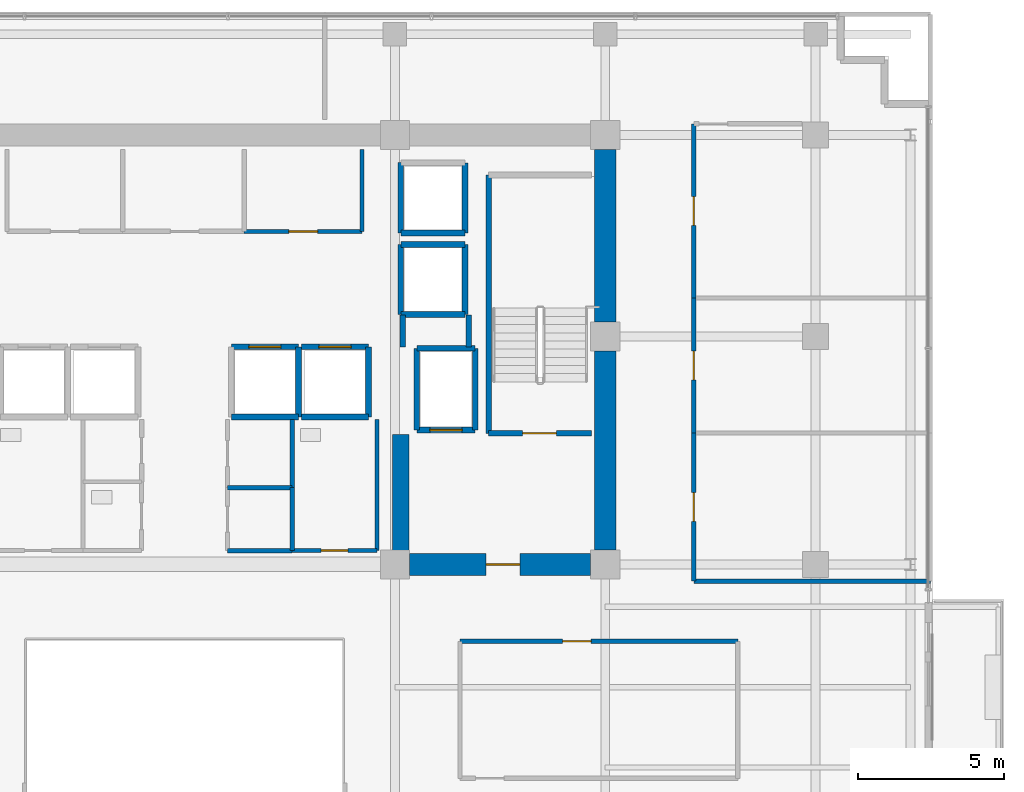
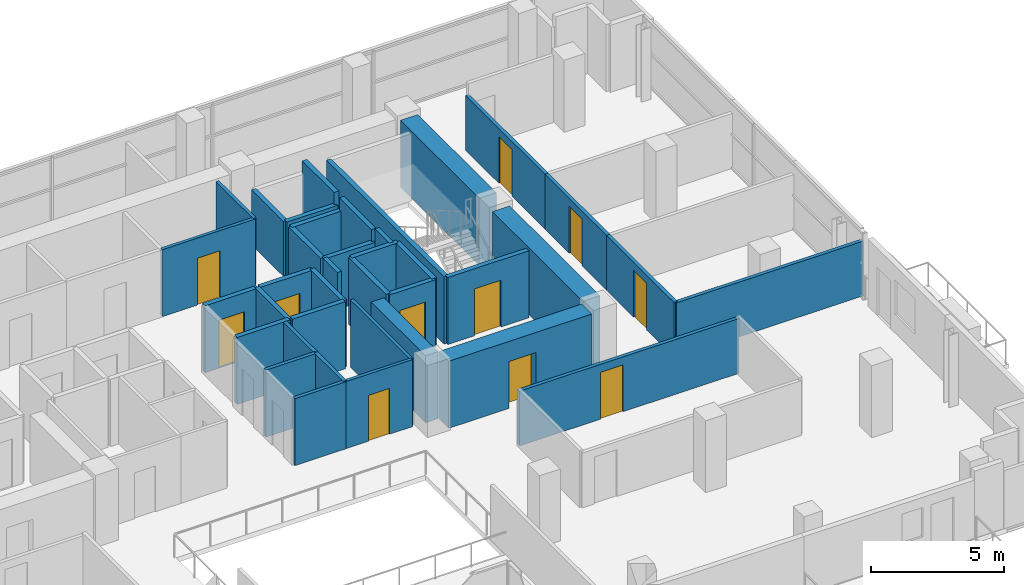
# One storey, part 21 of 25: 38 walls, 11 doors, 11 openings.
"""IFC4 building model written with IfcOpenShell, lengths in metres."""

from ifc_helpers import new_model, si_unit, direction, frame, frame_2d, origin, place, context, subcontext, project, spatial, rectangle, extrude, source, transform, mapped, material, layer, layer_set, type_object, element, fill, save


model = new_model("IFC4")

# Units and contexts
model_context = context("Model", 3, precision=1e-05, world=origin(), true_north=direction((0.0, 1.0)))
body_context = subcontext(model_context, "Body", "Model", "MODEL_VIEW")
ifc_project = project(units=[si_unit("LENGTHUNIT", "METRE"), si_unit("AREAUNIT", "SQUARE_METRE"), si_unit("VOLUMEUNIT", "CUBIC_METRE"), si_unit("PLANEANGLEUNIT", "RADIAN"), si_unit("MASSUNIT", "GRAM", prefix="KILO")], contexts=[model_context])

# Site, building, storey
site_placement = place(None, origin())
site = spatial("IfcSite", under=ifc_project, at=site_placement, CompositionType="ELEMENT")
building_placement = place(site_placement, origin())
building = spatial("IfcBuilding", under=site, at=building_placement, Name="Zarnakvel Exchange Tower", CompositionType="ELEMENT")
storey_placement = place(building_placement, frame((0.0, 0.0, 100.0)))
storey = spatial("IfcBuildingStorey", under=building, at=storey_placement, Name="L27", CompositionType="ELEMENT", Elevation=100.0)

# Walls
ifc_material_1 = material(Name="Concrete C60/75", Category="concrete")
ifc_layer_1 = layer(ifc_material_1, 0.75)
ifc_layer_set_1 = layer_set([ifc_layer_1], Name="Concrete C60/75")
wall_type_1 = type_object("IfcWallType", Name="CW-C3", PredefinedType="SHEAR", material=ifc_layer_set_1)
wall_1_placement = place(storey_placement, frame((14.39990234375, -0.699951171875, 0.0), z_axis=(0.0, 0.0, 1.0), x_axis=(0.0, 1.0, 0.0)))
element("IfcWall", 1, at=wall_1_placement, inside=storey, type_object=wall_type_1, Name="L27 Rear Core Shear Wall E1 (CW-C3)", PredefinedType="SHEAR", context=body_context, shape_type="SweptSolid", body=[
    extrude(rectangle(XDim=6.800048828125, YDim=0.75, at=frame_2d((3.39990234375, 0.0))), origin(), (0.0, 0.0, 1.0), 3.074951171875),
])
wall_2_placement = place(storey_placement, frame((14.39990234375, 7.10009765625, 0.0), z_axis=(0.0, 0.0, 1.0), x_axis=(0.0, 1.0, 0.0)))
element("IfcWall", 2, at=wall_2_placement, inside=storey, type_object=wall_type_1, Name="L27 Rear Core Shear Wall E2 (CW-C3)", PredefinedType="SHEAR", context=body_context, shape_type="SweptSolid", body=[
    extrude(rectangle(XDim=5.89990234375, YDim=0.75, at=frame_2d((2.949951171875, 0.0))), origin(), (0.0, 0.0, 1.0), 3.074951171875),
])

# Wall, opening, door
wall_3_placement = place(storey_placement, frame((13.89990234375, -1.199951171875, 0.0), z_axis=(0.0, 0.0, 1.0), x_axis=(-1.0, 0.0, 0.0)))
wall_3 = element("IfcWall", 3, at=wall_3_placement, inside=storey, type_object=wall_type_1, Name="L27 Rear Core Shear Wall SE (CW-C3)", PredefinedType="SHEAR", context=body_context, shape_type="SweptSolid", body=[
    extrude(rectangle(XDim=6.199951171875, YDim=0.75, at=frame_2d((3.10009765625, 0.0))), origin(), (0.0, 0.0, 1.0), 3.074951171875),
])
opening_1_placement = place(wall_3_placement, frame((2.425048828125, 0.0, 0.0)))
opening_1 = element("IfcOpeningElement", 4, at=opening_1_placement, cuts=wall_3, Name="Opening D-L27-04", PredefinedType="OPENING", context=body_context, shape_type="SweptSolid", body=[
    extrude(rectangle(XDim=1.14990234375, YDim=2.14990234375, at=frame_2d((0.574951171875, 1.074951171875))), frame((0.0, 0.385009765625, 0.0), z_axis=(0.0, -1.0, 0.0), x_axis=(1.0, 0.0, 0.0)), (0.0, 0.0, 1.0), 0.77001953125),
])
ifc_material_2 = material(Name="Painted Galvanised Steel S355", Category="steel")
door_type_1 = type_object("IfcDoorType", Name="DT-04", OperationType="NOTDEFINED", PredefinedType="DOOR", material=ifc_material_2)
shared_shape_1 = source(origin(), body_context, "Body", "SweptSolid", [
    extrude(rectangle(XDim=1.14990234375, YDim=2.14990234375, at=frame_2d((0.574951171875, 1.074951171875))), frame((0.0, 0.02490234375, 0.0), z_axis=(0.0, -1.0, 0.0), x_axis=(1.0, 0.0, 0.0)), (0.0, 0.0, 1.0), 0.050048828125),
])
door_1_placement = place(opening_1_placement, origin())
door_1 = element("IfcDoor", 5, at=door_1_placement, inside=storey, type_object=door_type_1, Name="L27 Firefighting Lobby East Door D-L27-04", OperationType="SINGLE_SWING_LEFT", OverallHeight=2.14990234375, OverallWidth=1.14990234375, PredefinedType="DOOR", context=body_context, shape_type="MappedRepresentation", body=[
    mapped(shared_shape_1, transform((0.0, 0.0, 0.0), x_axis=(1.0, 0.0, 0.0), y_axis=(0.0, 1.0, 0.0), z_axis=(0.0, 0.0, 1.0), scale=1.0)),
])
fill(opening_1, door_1)

# Walls
ifc_layer_2 = layer(ifc_material_1, 0.550048828125)
ifc_layer_set_2 = layer_set([ifc_layer_2], Name="Concrete C60/75")
wall_type_2 = type_object("IfcWallType", Name="CW-C4", PredefinedType="SHEAR", material=ifc_layer_set_2)
wall_4_placement = place(storey_placement, frame((7.39990234375, -0.824951171875, 0.0), z_axis=(0.0, 0.0, 1.0), x_axis=(0.0, 1.0, 0.0)))
element("IfcWall", 6, at=wall_4_placement, inside=storey, type_object=wall_type_2, Name="L27 Rear Core Shear Wall IE (CW-C4)", PredefinedType="SHEAR", context=body_context, shape_type="SweptSolid", body=[
    extrude(rectangle(XDim=4.074951171875, YDim=0.550048828125, at=frame_2d((2.03759765625, 0.0))), origin(), (0.0, 0.0, 1.0), 3.074951171875),
])
ifc_material_3 = material(Name="Fire-Rated Gypsum Stud Partition", Category="gypsum")
ifc_layer_3 = layer(ifc_material_3, 0.14990234375)
ifc_layer_set_3 = layer_set([ifc_layer_3], Name="Fire-Rated Gypsum Stud Partition")
wall_type_3 = type_object("IfcWallType", Name="PT-01", PredefinedType="PARTITIONING", material=ifc_layer_set_3)
for number, where, z_axis, x_axis, name in (
    (7, (3.679931640625, -0.72998046875, 0.0), (0.0, 0.0, 1.0), (-1.0, 0.0, 0.0), "L27 Partition Wall PWALL-L27-025 (PT-01)"),
    (8, (1.469970703125, 1.429931640625, 0.0), (0.0, 0.0, 1.0), (1.0, 0.0, 0.0), "L27 Partition Wall PWALL-L27-026 (PT-01)"),
):
    element("IfcWall", number, at=place(storey_placement, frame(where, z_axis=z_axis, x_axis=x_axis)), inside=storey, type_object=wall_type_3, Name=name, PredefinedType="PARTITIONING", context=body_context, shape_type="SweptSolid", body=[
        extrude(rectangle(XDim=2.2099609375, YDim=0.14990234375, at=frame_2d((1.10498046875, 0.0))), origin(), (0.0, 0.0, 1.0), 3.074951171875),
    ])
wall_5_placement = place(storey_placement, frame((3.679931640625, 1.429931640625, 0.0), z_axis=(0.0, 0.0, 1.0), x_axis=(0.0, -1.0, 0.0)))
element("IfcWall", 9, at=wall_5_placement, inside=storey, type_object=wall_type_3, Name="L27 Partition Wall PWALL-L27-028 (PT-01)", PredefinedType="PARTITIONING", context=body_context, shape_type="SweptSolid", body=[
    extrude(rectangle(XDim=2.159912109375, YDim=0.14990234375, at=frame_2d((1.080078125, 0.0))), origin(), (0.0, 0.0, 1.0), 3.074951171875),
])
wall_6_placement = place(storey_placement, frame((3.679931640625, 3.760009765625, 0.0), z_axis=(0.0, 0.0, 1.0), x_axis=(0.0, -1.0, 0.0)))
element("IfcWall", 10, at=wall_6_placement, inside=storey, type_object=wall_type_3, Name="L27 Partition Wall PWALL-L27-030 (PT-01)", PredefinedType="PARTITIONING", context=body_context, shape_type="SweptSolid", body=[
    extrude(rectangle(XDim=2.330078125, YDim=0.14990234375, at=frame_2d((1.1650390625, 0.0))), origin(), (0.0, 0.0, 1.0), 3.074951171875),
])

# Wall, opening, door
wall_7_placement = place(storey_placement, frame((9.429931640625, -3.830078125, 0.0), z_axis=(0.0, 0.0, 1.0), x_axis=(1.0, 0.0, 0.0)))
wall_7 = element("IfcWall", 11, at=wall_7_placement, inside=storey, type_object=wall_type_3, Name="L27 Partition Wall PWALL-L27-044 (PT-01)", PredefinedType="PARTITIONING", context=body_context, shape_type="SweptSolid", body=[
    extrude(rectangle(XDim=9.51123046875, YDim=0.14990234375, at=frame_2d((4.755615234375, 0.0))), origin(), (0.0, 0.0, 1.0), 2.514892578125),
])
opening_2_placement = place(wall_7_placement, frame((3.510009765625, 0.0, 0.0)))
opening_2 = element("IfcOpeningElement", 12, at=opening_2_placement, cuts=wall_7, Name="Opening D-L27-17", PredefinedType="OPENING", context=body_context, shape_type="SweptSolid", body=[
    extrude(rectangle(XDim=0.97998046875, YDim=2.14990234375, at=frame_2d((0.489990234375, 1.074951171875))), frame((0.0, 0.0849609375, 0.0), z_axis=(0.0, -1.0, 0.0), x_axis=(1.0, 0.0, 0.0)), (0.0, 0.0, 1.0), 0.169921875),
])
ifc_material_4 = material(Name="Timber Acoustic Veneer", Category="wood")
door_type_2 = type_object("IfcDoorType", Name="DT-05", OperationType="NOTDEFINED", PredefinedType="DOOR", material=ifc_material_4)
shared_shape_2 = source(origin(), body_context, "Body", "SweptSolid", [
    extrude(rectangle(XDim=0.97998046875, YDim=2.14990234375, at=frame_2d((0.489990234375, 1.074951171875))), frame((0.0, 0.02490234375, 0.0), z_axis=(0.0, -1.0, 0.0), x_axis=(1.0, 0.0, 0.0)), (0.0, 0.0, 1.0), 0.050048828125),
])
door_2_placement = place(opening_2_placement, origin())
door_2 = element("IfcDoor", 13, at=door_2_placement, inside=storey, type_object=door_type_2, Name="L27 Executive Office Door D-L27-17", OperationType="SINGLE_SWING_RIGHT", OverallHeight=2.14990234375, OverallWidth=0.97998046875, PredefinedType="DOOR", context=body_context, shape_type="MappedRepresentation", body=[
    mapped(shared_shape_2, transform((0.0, 0.0, 0.0), x_axis=(1.0, 0.0, 0.0), y_axis=(0.0, 1.0, 0.0), z_axis=(0.0, 0.0, 1.0), scale=1.0)),
])
fill(opening_2, door_2)

# Wall
wall_8_placement = place(storey_placement, frame((25.530029296875, -1.77001953125, 0.0), z_axis=(0.0, 0.0, 1.0), x_axis=(-1.0, 0.0, 0.0)))
element("IfcWall", 14, at=wall_8_placement, inside=storey, type_object=wall_type_3, Name="L27 Partition Wall PWALL-L27-054 (PT-01)", PredefinedType="PARTITIONING", context=body_context, shape_type="SweptSolid", body=[
    extrude(rectangle(XDim=8.10009765625, YDim=0.14990234375, at=frame_2d((4.050048828125, 0.0))), origin(), (0.0, 0.0, 1.0), 2.514892578125),
])

# Wall, opening, door
wall_9_placement = place(storey_placement, frame((17.429931640625, -1.77001953125, 0.0), z_axis=(0.0, 0.0, 1.0), x_axis=(0.0, 1.0, 0.0)))
wall_9 = element("IfcWall", 15, at=wall_9_placement, inside=storey, type_object=wall_type_3, Name="L27 Partition Wall PWALL-L27-056 (PT-01)", PredefinedType="PARTITIONING", context=body_context, shape_type="SweptSolid", body=[
    extrude(rectangle(XDim=5.06787109375, YDim=0.14990234375, at=frame_2d((2.533935546875, 0.0))), origin(), (0.0, 0.0, 1.0), 2.514892578125),
])
opening_3_placement = place(wall_9_placement, frame((2.0439453125, 0.0, 0.0)))
opening_3 = element("IfcOpeningElement", 16, at=opening_3_placement, cuts=wall_9, Name="Opening D-L27-20", PredefinedType="OPENING", context=body_context, shape_type="SweptSolid", body=[
    extrude(rectangle(XDim=0.97998046875, YDim=2.14990234375, at=frame_2d((0.489990234375, 1.074951171875))), frame((0.0, 0.0849609375, 0.0), z_axis=(0.0, -1.0, 0.0), x_axis=(1.0, 0.0, 0.0)), (0.0, 0.0, 1.0), 0.169921875),
])
door_3_placement = place(opening_3_placement, origin())
door_3 = element("IfcDoor", 17, at=door_3_placement, inside=storey, type_object=door_type_2, Name="L27 Breakout Pantry Door D-L27-20", OperationType="SINGLE_SWING_LEFT", OverallHeight=2.14990234375, OverallWidth=0.97998046875, PredefinedType="DOOR", context=body_context, shape_type="MappedRepresentation", body=[
    mapped(shared_shape_2, transform((0.0, 0.0, 0.0), x_axis=(1.0, 0.0, 0.0), y_axis=(0.0, 1.0, 0.0), z_axis=(0.0, 0.0, 1.0), scale=1.0)),
])
fill(opening_3, door_3)

wall_10_placement = place(storey_placement, frame((17.429931640625, 3.2978515625, 0.0), z_axis=(0.0, 0.0, 1.0), x_axis=(0.0, 1.0, 0.0)))
wall_10 = element("IfcWall", 18, at=wall_10_placement, inside=storey, type_object=wall_type_3, Name="L27 Partition Wall PWALL-L27-059 (PT-01)", PredefinedType="PARTITIONING", context=body_context, shape_type="SweptSolid", body=[
    extrude(rectangle(XDim=4.621826171875, YDim=0.14990234375, at=frame_2d((2.31103515625, 0.0))), origin(), (0.0, 0.0, 1.0), 2.514892578125),
])
opening_4_placement = place(wall_10_placement, frame((1.821044921875, 0.0, 0.0)))
opening_4 = element("IfcOpeningElement", 19, at=opening_4_placement, cuts=wall_10, Name="Opening D-L27-21", PredefinedType="OPENING", context=body_context, shape_type="SweptSolid", body=[
    extrude(rectangle(XDim=0.97998046875, YDim=2.14990234375, at=frame_2d((0.489990234375, 1.074951171875))), frame((0.0, 0.0849609375, 0.0), z_axis=(0.0, -1.0, 0.0), x_axis=(1.0, 0.0, 0.0)), (0.0, 0.0, 1.0), 0.169921875),
])
door_4_placement = place(opening_4_placement, origin())
door_4 = element("IfcDoor", 20, at=door_4_placement, inside=storey, type_object=door_type_2, Name="L27 Settlement Office Door D-L27-21", OperationType="SINGLE_SWING_RIGHT", OverallHeight=2.14990234375, OverallWidth=0.97998046875, PredefinedType="DOOR", context=body_context, shape_type="MappedRepresentation", body=[
    mapped(shared_shape_2, transform((0.0, 0.0, 0.0), x_axis=(1.0, 0.0, 0.0), y_axis=(0.0, 1.0, 0.0), z_axis=(0.0, 0.0, 1.0), scale=1.0)),
])
fill(opening_4, door_4)

wall_11_placement = place(storey_placement, frame((17.429931640625, 7.919677734375, 0.0), z_axis=(0.0, 0.0, 1.0), x_axis=(0.0, 1.0, 0.0)))
wall_11 = element("IfcWall", 21, at=wall_11_placement, inside=storey, type_object=wall_type_3, Name="L27 Partition Wall PWALL-L27-062 (PT-01)", PredefinedType="PARTITIONING", context=body_context, shape_type="SweptSolid", body=[
    extrude(rectangle(XDim=5.960205078125, YDim=0.14990234375, at=frame_2d((2.97998046875, 0.0))), origin(), (0.0, 0.0, 1.0), 2.514892578125),
])
opening_5_placement = place(wall_11_placement, frame((2.490234375, 0.0, 0.0)))
opening_5 = element("IfcOpeningElement", 22, at=opening_5_placement, cuts=wall_11, Name="Opening D-L27-22", PredefinedType="OPENING", context=body_context, shape_type="SweptSolid", body=[
    extrude(rectangle(XDim=0.97998046875, YDim=2.14990234375, at=frame_2d((0.489990234375, 1.074951171875))), frame((0.0, 0.0849609375, 0.0), z_axis=(0.0, -1.0, 0.0), x_axis=(1.0, 0.0, 0.0)), (0.0, 0.0, 1.0), 0.169921875),
])
door_5_placement = place(opening_5_placement, origin())
door_5 = element("IfcDoor", 23, at=door_5_placement, inside=storey, type_object=door_type_2, Name="L27 Reception Lounge Door D-L27-22", OperationType="SINGLE_SWING_LEFT", OverallHeight=2.14990234375, OverallWidth=0.97998046875, PredefinedType="DOOR", context=body_context, shape_type="MappedRepresentation", body=[
    mapped(shared_shape_2, transform((0.0, 0.0, 0.0), x_axis=(1.0, 0.0, 0.0), y_axis=(0.0, 1.0, 0.0), z_axis=(0.0, 0.0, 1.0), scale=1.0)),
])
fill(opening_5, door_5)

# Walls
ifc_layer_4 = layer(ifc_material_3, 0.179931640625)
ifc_layer_set_4 = layer_set([ifc_layer_4], Name="Fire-Rated Gypsum Stud Partition")
wall_type_4 = type_object("IfcWallType", Name="PT-02", PredefinedType="PARTITIONING", material=ifc_layer_set_4)
wall_12_placement = place(storey_placement, frame((7.469970703125, 6.239990234375, 0.0), z_axis=(0.0, 0.0, 1.0), x_axis=(0.0, 1.0, 0.0)))
element("IfcWall", 24, at=wall_12_placement, inside=storey, type_object=wall_type_4, Name="L27 Partition Wall PWALL-L27-009 (PT-02)", PredefinedType="PARTITIONING", context=body_context, shape_type="SweptSolid", body=[
    extrude(rectangle(XDim=1.090087890625, YDim=0.179931640625, at=frame_2d((0.544921875, 0.0))), origin(), (0.0, 0.0, 1.0), 2.514892578125),
])
wall_13_placement = place(storey_placement, frame((9.72998046875, 7.330078125, 0.0), z_axis=(0.0, 0.0, 1.0), x_axis=(0.0, -1.0, 0.0)))
element("IfcWall", 25, at=wall_13_placement, inside=storey, type_object=wall_type_4, Name="L27 Partition Wall PWALL-L27-010 (PT-02)", PredefinedType="PARTITIONING", context=body_context, shape_type="SweptSolid", body=[
    extrude(rectangle(XDim=1.090087890625, YDim=0.179931640625, at=frame_2d((0.544921875, 0.0))), origin(), (0.0, 0.0, 1.0), 3.074951171875),
])

# Wall, opening, door
ifc_material_5 = material(Name="Moisture-Resistant Tile-Faced Partition", Category="gypsum")
ifc_layer_5 = layer(ifc_material_5, 0.135009765625)
ifc_layer_set_5 = layer_set([ifc_layer_5], Name="Moisture-Resistant Tile-Faced Partition")
wall_type_5 = type_object("IfcWallType", Name="PT-03", PredefinedType="PARTITIONING", material=ifc_layer_set_5)
wall_14_placement = place(storey_placement, frame((6.080078125, 10.199951171875, 0.0), z_axis=(0.0, 0.0, 1.0), x_axis=(-1.0, 0.0, 0.0)))
wall_14 = element("IfcWall", 26, at=wall_14_placement, inside=storey, type_object=wall_type_5, Name="L27 Partition Wall PWALL-L27-016 (PT-03)", PredefinedType="PARTITIONING", context=body_context, shape_type="SweptSolid", body=[
    extrude(rectangle(XDim=4.0400390625, YDim=0.135009765625, at=frame_2d((2.02001953125, 0.0))), origin(), (0.0, 0.0, 1.0), 3.074951171875),
])
opening_6_placement = place(wall_14_placement, frame((1.530029296875, 0.0, 0.0)))
opening_6 = element("IfcOpeningElement", 27, at=opening_6_placement, cuts=wall_14, Name="Opening D-L27-07", PredefinedType="OPENING", context=body_context, shape_type="SweptSolid", body=[
    extrude(rectangle(XDim=0.97998046875, YDim=2.14990234375, at=frame_2d((0.489990234375, 1.074951171875))), frame((0.0, 0.077392578125, 0.0), z_axis=(0.0, -1.0, 0.0), x_axis=(1.0, 0.0, 0.0)), (0.0, 0.0, 1.0), 0.155029296875),
])
door_6_placement = place(opening_6_placement, origin())
door_6 = element("IfcDoor", 28, at=door_6_placement, inside=storey, type_object=door_type_2, Name="L27 Executive Tea Pantry Door D-L27-07", OperationType="SINGLE_SWING_RIGHT", OverallHeight=2.14990234375, OverallWidth=0.97998046875, PredefinedType="DOOR", context=body_context, shape_type="MappedRepresentation", body=[
    mapped(shared_shape_2, transform((0.0, 0.0, 0.0), x_axis=(1.0, 0.0, 0.0), y_axis=(0.0, 1.0, 0.0), z_axis=(0.0, 0.0, 1.0), scale=1.0)),
])
fill(opening_6, door_6)

# Wall
wall_15_placement = place(storey_placement, frame((6.080078125, 13.0, 0.0), z_axis=(0.0, 0.0, 1.0), x_axis=(0.0, -1.0, 0.0)))
element("IfcWall", 29, at=wall_15_placement, inside=storey, type_object=wall_type_5, Name="L27 Partition Wall PWALL-L27-017 (PT-03)", PredefinedType="PARTITIONING", context=body_context, shape_type="SweptSolid", body=[
    extrude(rectangle(XDim=2.800048828125, YDim=0.135009765625, at=frame_2d((1.39990234375, 0.0))), origin(), (0.0, 0.0, 1.0), 3.074951171875),
])

# Wall, opening, door
wall_16_placement = place(storey_placement, frame((6.580078125, -0.72998046875, 0.0), z_axis=(0.0, 0.0, 1.0), x_axis=(-1.0, 0.0, 0.0)))
wall_16 = element("IfcWall", 30, at=wall_16_placement, inside=storey, type_object=wall_type_5, Name="L27 Partition Wall PWALL-L27-031 (PT-03)", PredefinedType="PARTITIONING", context=body_context, shape_type="SweptSolid", body=[
    extrude(rectangle(XDim=2.900146484375, YDim=0.135009765625, at=frame_2d((1.4501953125, 0.0))), origin(), (0.0, 0.0, 1.0), 3.074951171875),
])
opening_7_placement = place(wall_16_placement, frame((0.989990234375, 0.0, 0.0)))
opening_7 = element("IfcOpeningElement", 31, at=opening_7_placement, cuts=wall_16, Name="Opening D-L27-13", PredefinedType="OPENING", context=body_context, shape_type="SweptSolid", body=[
    extrude(rectangle(XDim=0.919921875, YDim=2.10009765625, at=frame_2d((0.4599609375, 1.050048828125))), frame((0.0, 0.077392578125, 0.0), z_axis=(0.0, -1.0, 0.0), x_axis=(1.0, 0.0, 0.0)), (0.0, 0.0, 1.0), 0.155029296875),
])
ifc_material_6 = material(Name="Moisture-Resistant Laminate Timber", Category="wood")
door_type_3 = type_object("IfcDoorType", Name="DT-07", OperationType="NOTDEFINED", PredefinedType="DOOR", material=ifc_material_6)
shared_shape_3 = source(origin(), body_context, "Body", "SweptSolid", [
    extrude(rectangle(XDim=0.919921875, YDim=2.10009765625, at=frame_2d((0.4599609375, 1.050048828125))), frame((0.0, 0.02490234375, 0.0), z_axis=(0.0, -1.0, 0.0), x_axis=(1.0, 0.0, 0.0)), (0.0, 0.0, 1.0), 0.050048828125),
])
door_7_placement = place(opening_7_placement, origin())
door_7 = element("IfcDoor", 32, at=door_7_placement, inside=storey, type_object=door_type_3, Name="L27 Female Toilet Door D-L27-13", OperationType="SINGLE_SWING_RIGHT", OverallHeight=2.10009765625, OverallWidth=0.919921875, PredefinedType="DOOR", context=body_context, shape_type="MappedRepresentation", body=[
    mapped(shared_shape_3, transform((0.0, 0.0, 0.0), x_axis=(1.0, 0.0, 0.0), y_axis=(0.0, 1.0, 0.0), z_axis=(0.0, 0.0, 1.0), scale=1.0)),
])
fill(opening_7, door_7)

# Wall
wall_17_placement = place(storey_placement, frame((6.580078125, 3.760009765625, 0.0), z_axis=(0.0, 0.0, 1.0), x_axis=(0.0, -1.0, 0.0)))
element("IfcWall", 33, at=wall_17_placement, inside=storey, type_object=wall_type_5, Name="L27 Partition Wall PWALL-L27-032 (PT-03)", PredefinedType="PARTITIONING", context=body_context, shape_type="SweptSolid", body=[
    extrude(rectangle(XDim=4.489990234375, YDim=0.135009765625, at=frame_2d((2.2451171875, 0.0))), origin(), (0.0, 0.0, 1.0), 3.074951171875),
])

# Wall, opening, door
ifc_material_7 = material(Name="Concrete C40/50", Category="concrete")
ifc_layer_6 = layer(ifc_material_7, 0.199951171875)
ifc_layer_set_6 = layer_set([ifc_layer_6], Name="Concrete C40/50")
wall_type_6 = type_object("IfcWallType", Name="SW-01", PredefinedType="SOLIDWALL", material=ifc_layer_set_6)
wall_18_placement = place(storey_placement, frame((9.949951171875, 3.39990234375, 0.0), z_axis=(0.0, 0.0, 1.0), x_axis=(-1.0, 0.0, 0.0)))
wall_18 = element("IfcWall", 34, at=wall_18_placement, inside=storey, type_object=wall_type_6, Name="L27 FL-02 Hoistway Wall South", PredefinedType="SOLIDWALL", context=body_context, shape_type="SweptSolid", body=[
    extrude(rectangle(XDim=2.0, YDim=0.199951171875, at=frame_2d((1.0, 0.0))), origin(), (0.0, 0.0, 1.0), 3.074951171875),
])
opening_8_placement = place(wall_18_placement, frame((0.449951171875, 0.0, 0.0)))
opening_8 = element("IfcOpeningElement", 35, at=opening_8_placement, cuts=wall_18, Name="Opening LD-FL-02-L27", PredefinedType="OPENING", context=body_context, shape_type="SweptSolid", body=[
    extrude(rectangle(XDim=1.10009765625, YDim=2.199951171875, at=frame_2d((0.550048828125, 1.10009765625))), frame((0.0, 0.10986328125, 0.0), z_axis=(0.0, -1.0, 0.0), x_axis=(1.0, 0.0, 0.0)), (0.0, 0.0, 1.0), 0.219970703125),
])
ifc_material_8 = material(Name="Brushed Stainless Steel", Category="steel")
door_type_4 = type_object("IfcDoorType", Name="LDT-01", OperationType="NOTDEFINED", PredefinedType="DOOR", material=ifc_material_8)
shared_shape_4 = source(origin(), body_context, "Body", "SweptSolid", [
    extrude(rectangle(XDim=1.10009765625, YDim=2.199951171875, at=frame_2d((0.550048828125, 1.10009765625))), frame((0.0, 0.02490234375, 0.0), z_axis=(0.0, -1.0, 0.0), x_axis=(1.0, 0.0, 0.0)), (0.0, 0.0, 1.0), 0.050048828125),
])
door_8_placement = place(opening_8_placement, origin())
door_8 = element("IfcDoor", 36, at=door_8_placement, inside=storey, type_object=door_type_4, Name="L27 FL-02 Lift Landing Door LD-FL-02-L27", OperationType="DOUBLE_DOOR_SLIDING", OverallHeight=2.199951171875, OverallWidth=1.10009765625, PredefinedType="DOOR", context=body_context, shape_type="MappedRepresentation", body=[
    mapped(shared_shape_4, transform((0.0, 0.0, 0.0), x_axis=(1.0, 0.0, 0.0), y_axis=(0.0, 1.0, 0.0), z_axis=(0.0, 0.0, 1.0), scale=1.0)),
])
fill(opening_8, door_8)

# Walls
wall_19_placement = place(storey_placement, frame((7.949951171875, 6.199951171875, 0.0), z_axis=(0.0, 0.0, 1.0), x_axis=(1.0, 0.0, 0.0)))
element("IfcWall", 37, at=wall_19_placement, inside=storey, type_object=wall_type_6, Name="L27 FL-02 Hoistway Wall North", PredefinedType="SOLIDWALL", context=body_context, shape_type="SweptSolid", body=[
    extrude(rectangle(XDim=2.0, YDim=0.199951171875, at=frame_2d((1.0, 0.0))), origin(), (0.0, 0.0, 1.0), 3.074951171875),
])
for number, where, z_axis, x_axis, name in (
    (38, (7.949951171875, 3.39990234375, 0.0), (0.0, 0.0, 1.0), (0.0, 1.0, 0.0), "L27 FL-02 Hoistway Wall West"),
    (39, (9.949951171875, 6.199951171875, 0.0), (0.0, 0.0, 1.0), (0.0, -1.0, 0.0), "L27 FL-02 Hoistway Wall East"),
):
    element("IfcWall", number, at=place(storey_placement, frame(where, z_axis=z_axis, x_axis=x_axis)), inside=storey, type_object=wall_type_6, Name=name, PredefinedType="SOLIDWALL", context=body_context, shape_type="SweptSolid", body=[
        extrude(rectangle(XDim=2.800048828125, YDim=0.199951171875, at=frame_2d((1.39990234375, 0.0))), origin(), (0.0, 0.0, 1.0), 3.074951171875),
    ])
wall_20_placement = place(storey_placement, frame((3.89990234375, 3.85009765625, 0.0), z_axis=(0.0, 0.0, 1.0), x_axis=(-1.0, 0.0, 0.0)))
element("IfcWall", 40, at=wall_20_placement, inside=storey, type_object=wall_type_6, Name="L27 PL-07 Hoistway Wall South", PredefinedType="SOLIDWALL", context=body_context, shape_type="SweptSolid", body=[
    extrude(rectangle(XDim=2.2998046875, YDim=0.199951171875, at=frame_2d((1.14990234375, 0.0))), origin(), (0.0, 0.0, 1.0), 3.074951171875),
])

# Wall, opening, door
wall_21_placement = place(storey_placement, frame((1.60009765625, 6.25, 0.0), z_axis=(0.0, 0.0, 1.0), x_axis=(1.0, 0.0, 0.0)))
wall_21 = element("IfcWall", 41, at=wall_21_placement, inside=storey, type_object=wall_type_6, Name="L27 PL-07 Hoistway Wall North", PredefinedType="SOLIDWALL", context=body_context, shape_type="SweptSolid", body=[
    extrude(rectangle(XDim=2.2998046875, YDim=0.199951171875, at=frame_2d((1.14990234375, 0.0))), origin(), (0.0, 0.0, 1.0), 3.074951171875),
])
opening_9_placement = place(wall_21_placement, frame((0.60009765625, 0.0, 0.0)))
opening_9 = element("IfcOpeningElement", 42, at=opening_9_placement, cuts=wall_21, Name="Opening LD-PL-07-L27", PredefinedType="OPENING", context=body_context, shape_type="SweptSolid", body=[
    extrude(rectangle(XDim=1.10009765625, YDim=2.199951171875, at=frame_2d((0.550048828125, 1.10009765625))), frame((0.0, 0.10986328125, 0.0), z_axis=(0.0, -1.0, 0.0), x_axis=(1.0, 0.0, 0.0)), (0.0, 0.0, 1.0), 0.219970703125),
])
ifc_material_9 = material(Name="Architectural Bronze Anodised Aluminium", Category="aluminium")
door_type_5 = type_object("IfcDoorType", Name="LDT-02", OperationType="NOTDEFINED", PredefinedType="DOOR", material=ifc_material_9)
door_9_placement = place(opening_9_placement, origin())
door_9 = element("IfcDoor", 43, at=door_9_placement, inside=storey, type_object=door_type_5, Name="L27 PL-07 Lift Landing Door LD-PL-07-L27", OperationType="DOUBLE_DOOR_SLIDING", OverallHeight=2.199951171875, OverallWidth=1.10009765625, PredefinedType="DOOR", context=body_context, shape_type="MappedRepresentation", body=[
    mapped(shared_shape_4, transform((0.0, 0.0, 0.0), x_axis=(1.0, 0.0, 0.0), y_axis=(0.0, 1.0, 0.0), z_axis=(0.0, 0.0, 1.0), scale=1.0)),
])
fill(opening_9, door_9)

# Walls
wall_22_placement = place(storey_placement, frame((3.89990234375, 6.25, 0.0), z_axis=(0.0, 0.0, 1.0), x_axis=(0.0, -1.0, 0.0)))
element("IfcWall", 44, at=wall_22_placement, inside=storey, type_object=wall_type_6, Name="L27 PL-07 Hoistway Wall East", PredefinedType="SOLIDWALL", context=body_context, shape_type="SweptSolid", body=[
    extrude(rectangle(XDim=2.39990234375, YDim=0.199951171875, at=frame_2d((1.199951171875, 0.0))), origin(), (0.0, 0.0, 1.0), 3.074951171875),
])
wall_23_placement = place(storey_placement, frame((6.300048828125, 3.85009765625, 0.0), z_axis=(0.0, 0.0, 1.0), x_axis=(-1.0, 0.0, 0.0)))
element("IfcWall", 45, at=wall_23_placement, inside=storey, type_object=wall_type_6, Name="L27 PL-08 Hoistway Wall South", PredefinedType="SOLIDWALL", context=body_context, shape_type="SweptSolid", body=[
    extrude(rectangle(XDim=2.300048828125, YDim=0.199951171875, at=frame_2d((1.14990234375, 0.0))), origin(), (0.0, 0.0, 1.0), 3.074951171875),
])

# Wall, opening, door
wall_24_placement = place(storey_placement, frame((4.0, 6.25, 0.0), z_axis=(0.0, 0.0, 1.0), x_axis=(1.0, 0.0, 0.0)))
wall_24 = element("IfcWall", 46, at=wall_24_placement, inside=storey, type_object=wall_type_6, Name="L27 PL-08 Hoistway Wall North", PredefinedType="SOLIDWALL", context=body_context, shape_type="SweptSolid", body=[
    extrude(rectangle(XDim=2.300048828125, YDim=0.199951171875, at=frame_2d((1.14990234375, 0.0))), origin(), (0.0, 0.0, 1.0), 3.074951171875),
])
opening_10_placement = place(wall_24_placement, frame((0.60009765625, 0.0, 0.0)))
opening_10 = element("IfcOpeningElement", 47, at=opening_10_placement, cuts=wall_24, Name="Opening LD-PL-08-L27", PredefinedType="OPENING", context=body_context, shape_type="SweptSolid", body=[
    extrude(rectangle(XDim=1.10009765625, YDim=2.199951171875, at=frame_2d((0.550048828125, 1.10009765625))), frame((0.0, 0.10986328125, 0.0), z_axis=(0.0, -1.0, 0.0), x_axis=(1.0, 0.0, 0.0)), (0.0, 0.0, 1.0), 0.219970703125),
])
door_10_placement = place(opening_10_placement, origin())
door_10 = element("IfcDoor", 48, at=door_10_placement, inside=storey, type_object=door_type_5, Name="L27 PL-08 Lift Landing Door LD-PL-08-L27", OperationType="DOUBLE_DOOR_SLIDING", OverallHeight=2.199951171875, OverallWidth=1.10009765625, PredefinedType="DOOR", context=body_context, shape_type="MappedRepresentation", body=[
    mapped(shared_shape_4, transform((0.0, 0.0, 0.0), x_axis=(1.0, 0.0, 0.0), y_axis=(0.0, 1.0, 0.0), z_axis=(0.0, 0.0, 1.0), scale=1.0)),
])
fill(opening_10, door_10)

# Walls
wall_25_placement = place(storey_placement, frame((6.300048828125, 6.25, 0.0), z_axis=(0.0, 0.0, 1.0), x_axis=(0.0, -1.0, 0.0)))
element("IfcWall", 49, at=wall_25_placement, inside=storey, type_object=wall_type_6, Name="L27 PL-08 Hoistway Wall East", PredefinedType="SOLIDWALL", context=body_context, shape_type="SweptSolid", body=[
    extrude(rectangle(XDim=2.39990234375, YDim=0.199951171875, at=frame_2d((1.199951171875, 0.0))), origin(), (0.0, 0.0, 1.0), 3.074951171875),
])
for number, where, z_axis, x_axis, name in (
    (50, (9.60009765625, 7.35009765625, 0.0), (0.0, 0.0, 1.0), (-1.0, 0.0, 0.0), "L27 PL-11 Hoistway Wall South"),
    (51, (7.39990234375, 9.75, 0.0), (0.0, 0.0, 1.0), (1.0, 0.0, 0.0), "L27 PL-11 Hoistway Wall North"),
):
    element("IfcWall", number, at=place(storey_placement, frame(where, z_axis=z_axis, x_axis=x_axis)), inside=storey, type_object=wall_type_6, Name=name, PredefinedType="SOLIDWALL", context=body_context, shape_type="SweptSolid", body=[
        extrude(rectangle(XDim=2.2001953125, YDim=0.199951171875, at=frame_2d((1.10009765625, 0.0))), origin(), (0.0, 0.0, 1.0), 2.514892578125),
    ])
wall_26_placement = place(storey_placement, frame((7.39990234375, 7.35009765625, 0.0), z_axis=(0.0, 0.0, 1.0), x_axis=(0.0, 1.0, 0.0)))
element("IfcWall", 52, at=wall_26_placement, inside=storey, type_object=wall_type_6, Name="L27 PL-11 Hoistway Wall West", PredefinedType="SOLIDWALL", context=body_context, shape_type="SweptSolid", body=[
    extrude(rectangle(XDim=2.39990234375, YDim=0.199951171875, at=frame_2d((1.199951171875, 0.0))), origin(), (0.0, 0.0, 1.0), 2.514892578125),
])
wall_27_placement = place(storey_placement, frame((9.60009765625, 9.75, 0.0), z_axis=(0.0, 0.0, 1.0), x_axis=(0.0, -1.0, 0.0)))
element("IfcWall", 53, at=wall_27_placement, inside=storey, type_object=wall_type_6, Name="L27 PL-11 Hoistway Wall East", PredefinedType="SOLIDWALL", context=body_context, shape_type="SweptSolid", body=[
    extrude(rectangle(XDim=2.39990234375, YDim=0.199951171875, at=frame_2d((1.199951171875, 0.0))), origin(), (0.0, 0.0, 1.0), 3.074951171875),
])
wall_28_placement = place(storey_placement, frame((9.60009765625, 10.14990234375, 0.0), z_axis=(0.0, 0.0, 1.0), x_axis=(-1.0, 0.0, 0.0)))
element("IfcWall", 54, at=wall_28_placement, inside=storey, type_object=wall_type_6, Name="L27 PL-12 Hoistway Wall South", PredefinedType="SOLIDWALL", context=body_context, shape_type="SweptSolid", body=[
    extrude(rectangle(XDim=2.2001953125, YDim=0.199951171875, at=frame_2d((1.10009765625, 0.0))), origin(), (0.0, 0.0, 1.0), 2.514892578125),
])
wall_29_placement = place(storey_placement, frame((7.39990234375, 10.14990234375, 0.0), z_axis=(0.0, 0.0, 1.0), x_axis=(0.0, 1.0, 0.0)))
element("IfcWall", 55, at=wall_29_placement, inside=storey, type_object=wall_type_6, Name="L27 PL-12 Hoistway Wall West", PredefinedType="SOLIDWALL", context=body_context, shape_type="SweptSolid", body=[
    extrude(rectangle(XDim=2.400146484375, YDim=0.199951171875, at=frame_2d((1.2001953125, 0.0))), origin(), (0.0, 0.0, 1.0), 2.514892578125),
])
wall_30_placement = place(storey_placement, frame((9.60009765625, 12.550048828125, 0.0), z_axis=(0.0, 0.0, 1.0), x_axis=(0.0, -1.0, 0.0)))
element("IfcWall", 56, at=wall_30_placement, inside=storey, type_object=wall_type_6, Name="L27 PL-12 Hoistway Wall East", PredefinedType="SOLIDWALL", context=body_context, shape_type="SweptSolid", body=[
    extrude(rectangle(XDim=2.400146484375, YDim=0.199951171875, at=frame_2d((1.2001953125, 0.0))), origin(), (0.0, 0.0, 1.0), 3.074951171875),
])

# Wall, opening, door
ifc_layer_7 = layer(ifc_material_7, 0.199951171875)
ifc_layer_set_7 = layer_set([ifc_layer_7], Name="Concrete C40/50")
wall_type_7 = type_object("IfcWallType", Name="SW-02", PredefinedType="SOLIDWALL", material=ifc_layer_set_7)
wall_31_placement = place(storey_placement, frame((13.929931640625, 3.2900390625, 0.0), z_axis=(0.0, 0.0, 1.0), x_axis=(-1.0, 0.0, 0.0)))
wall_31 = element("IfcWall", 57, at=wall_31_placement, inside=storey, type_object=wall_type_7, Name="L27 Stairwell Core Wall PWALL-L27-004 (SW-02)", PredefinedType="SOLIDWALL", context=body_context, shape_type="SweptSolid", body=[
    extrude(rectangle(XDim=3.52001953125, YDim=0.199951171875, at=frame_2d((1.760009765625, 0.0))), origin(), (0.0, 0.0, 1.0), 3.074951171875),
])
opening_11_placement = place(wall_31_placement, frame((1.205078125, 0.0, 0.0)))
opening_11 = element("IfcOpeningElement", 58, at=opening_11_placement, cuts=wall_31, Name="Opening D-L27-02", PredefinedType="OPENING", context=body_context, shape_type="SweptSolid", body=[
    extrude(rectangle(XDim=1.14990234375, YDim=2.14990234375, at=frame_2d((0.574951171875, 1.074951171875))), frame((0.0, 0.10986328125, 0.0), z_axis=(0.0, -1.0, 0.0), x_axis=(1.0, 0.0, 0.0)), (0.0, 0.0, 1.0), 0.219970703125),
])
door_11_placement = place(opening_11_placement, origin())
door_11 = element("IfcDoor", 59, at=door_11_placement, inside=storey, type_object=door_type_1, Name="L27 Stairwell ST-02 Door D-L27-02", OperationType="SINGLE_SWING_LEFT", OverallHeight=2.14990234375, OverallWidth=1.14990234375, PredefinedType="DOOR", context=body_context, shape_type="MappedRepresentation", body=[
    mapped(shared_shape_1, transform((0.0, 0.0, 0.0), x_axis=(1.0, 0.0, 0.0), y_axis=(0.0, 1.0, 0.0), z_axis=(0.0, 0.0, 1.0), scale=1.0)),
])
fill(opening_11, door_11)

# Wall
wall_32_placement = place(storey_placement, frame((10.409912109375, 3.2900390625, 0.0), z_axis=(0.0, 0.0, 1.0), x_axis=(0.0, 1.0, 0.0)))
element("IfcWall", 60, at=wall_32_placement, inside=storey, type_object=wall_type_7, Name="L27 Stairwell Core Wall PWALL-L27-006 (SW-02)", PredefinedType="SOLIDWALL", context=body_context, shape_type="SweptSolid", body=[
    extrude(rectangle(XDim=8.83984375, YDim=0.199951171875, at=frame_2d((4.419921875, 0.0))), origin(), (0.0, 0.0, 1.0), 3.074951171875),
])

save(model, "model.ifc")
